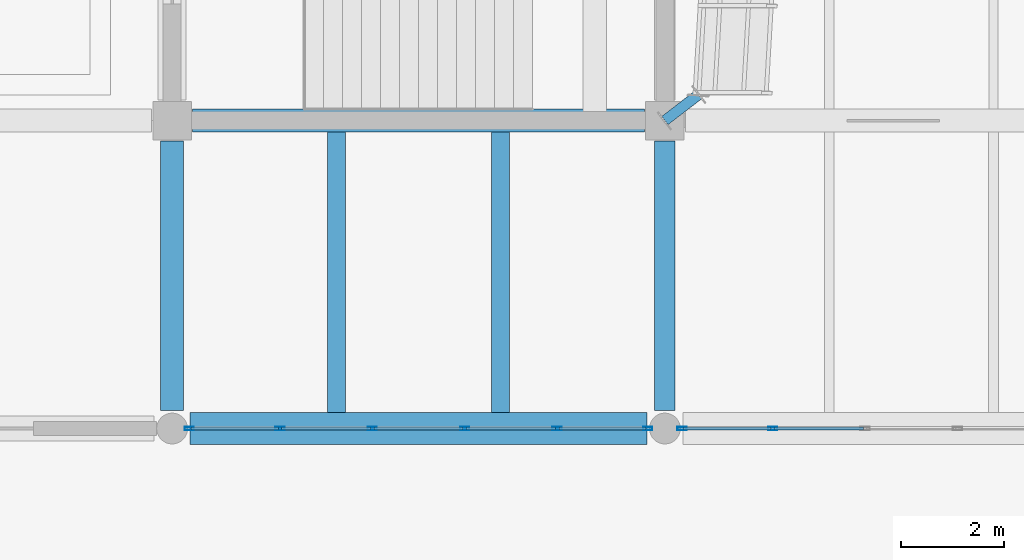
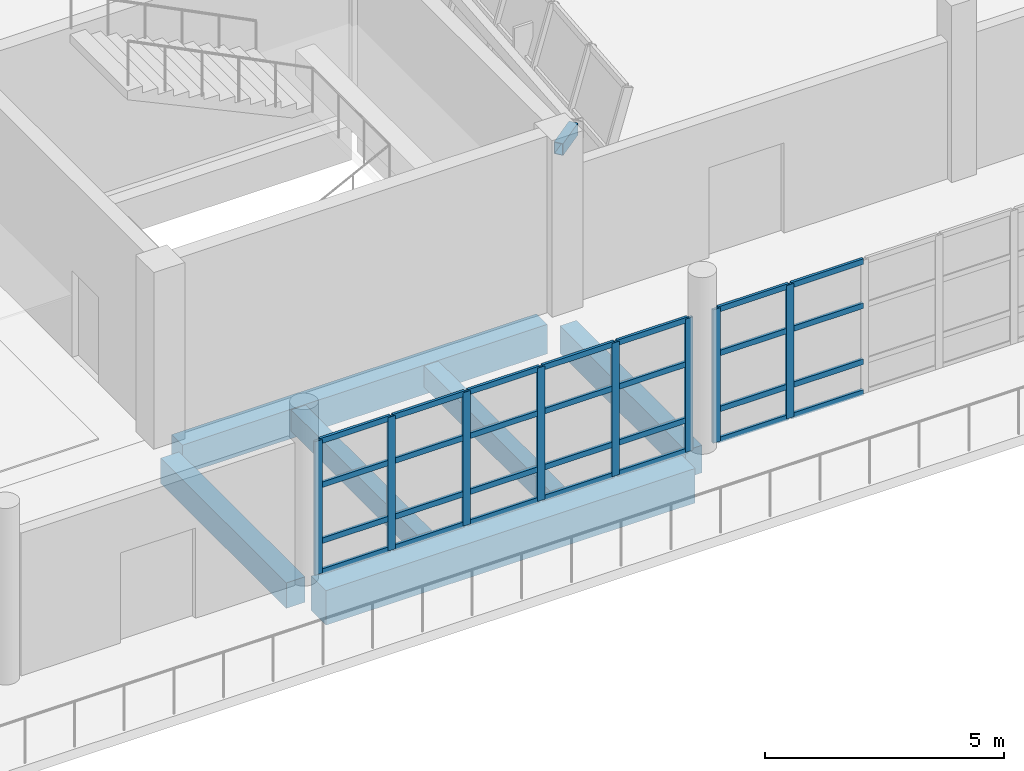
# One storey, part 15 of 71: 36 members, 7 beams, 2 elements without a shape of their own.
"""IFC4 building model written with IfcOpenShell, lengths in metres."""

from ifc_helpers import new_model, si_unit, direction, frame, origin, origin_2d, place, context, subcontext, project, spatial, rectangle, hollow_rectangle, extrude, material, material_profile, profile_set, type_object, element, aggregate, save


model = new_model("IFC4")

# Units and contexts
model_context = context("Model", 3, precision=1e-05, world=origin(), true_north=direction((0.0, 1.0)))
body_context = subcontext(model_context, "Body", "Model", "MODEL_VIEW")
ifc_project = project(units=[si_unit("LENGTHUNIT", "METRE"), si_unit("AREAUNIT", "SQUARE_METRE"), si_unit("VOLUMEUNIT", "CUBIC_METRE"), si_unit("PLANEANGLEUNIT", "RADIAN"), si_unit("MASSUNIT", "GRAM", prefix="KILO")], contexts=[model_context])

# Site, building, storey
site_placement = place(None, origin())
site = spatial("IfcSite", under=ifc_project, at=site_placement, CompositionType="ELEMENT")
building_placement = place(site_placement, origin())
building = spatial("IfcBuilding", under=site, at=building_placement, Name="Pellamere Symphony Hall", CompositionType="ELEMENT")
storey_placement = place(building_placement, frame((0.0, 0.0, 15.0)))
storey = spatial("IfcBuildingStorey", under=building, at=storey_placement, Name="L03", CompositionType="ELEMENT", Elevation=15.0)

# Curtain wall, members
ifc_material_1 = material(Name="Thermally Broken Anodised Aluminium 6063-T6 Curtain Wall", Category="aluminium")
curtain_wall_type = type_object("IfcCurtainWallType", Name="Curtain Wall CW-02 (Winter-Garden South Concourse Curtain Wall)", PredefinedType="NOTDEFINED", material=ifc_material_1)
curtain_wall_1_placement = place(storey_placement, origin())
curtain_wall_1 = element("IfcCurtainWall", 1, at=curtain_wall_1_placement, inside=storey, type_object=curtain_wall_type, Name="Winter-Garden South Curtain Wall (L03 Bay 10)", PredefinedType="NOTDEFINED")
ifc_material_2 = material(Name="Anodised Architectural Aluminium 6063-T6", Category="aluminium")
ifc_material_profile_1 = material_profile(ifc_material_2, hollow_rectangle(XDim=0.06494140625, YDim=0.179931640625, WallThickness=0.00390625, at=origin_2d()), Name="ALU-M65X180X4")
ifc_profile_set_1 = profile_set([ifc_material_profile_1], Name="Anodised Architectural Aluminium 6063-T6")
member_type_1 = type_object("IfcMemberType", Name="Curtain Wall Mullion ML-02 ALU-M65X180X4", PredefinedType="MULLION", material=ifc_profile_set_1)
member_1_placement = place(storey_placement, frame((109.532470703125, 24.0, 0.0), z_axis=(0.0, 0.0, 1.0), x_axis=(0.0, 1.0, 0.0)))
member_1 = element("IfcMember", 2, at=member_1_placement, type_object=member_type_1, Name="CW2-093 crystal mullion 1", PredefinedType="MULLION", context=body_context, shape_type="SweptSolid", body=[
    extrude(hollow_rectangle(XDim=0.06494140625, YDim=0.179931640625, WallThickness=0.00390625, at=origin_2d()), origin(), (0.0, 0.0, 1.0), 3.39990234375),
])
member_2_placement = place(storey_placement, frame((111.300048828125, 24.0, 0.0), z_axis=(0.0, 0.0, 1.0), x_axis=(0.0, 1.0, 0.0)))
member_2 = element("IfcMember", 3, at=member_2_placement, type_object=member_type_1, Name="CW2-093 crystal mullion 2", PredefinedType="MULLION", context=body_context, shape_type="SweptSolid", body=[
    extrude(hollow_rectangle(XDim=0.06494140625, YDim=0.179931640625, WallThickness=0.00390625, at=origin_2d()), origin(), (0.0, 0.0, 1.0), 3.39990234375),
])
member_3_placement = place(storey_placement, frame((113.10009765625, 24.0, 0.0), z_axis=(0.0, 0.0, 1.0), x_axis=(0.0, 1.0, 0.0)))
member_3 = element("IfcMember", 4, at=member_3_placement, type_object=member_type_1, Name="CW2-093 crystal mullion 3", PredefinedType="MULLION", context=body_context, shape_type="SweptSolid", body=[
    extrude(hollow_rectangle(XDim=0.06494140625, YDim=0.179931640625, WallThickness=0.00390625, at=origin_2d()), origin(), (0.0, 0.0, 1.0), 3.39990234375),
])
member_4_placement = place(storey_placement, frame((114.89990234375, 24.0, 0.0), z_axis=(0.0, 0.0, 1.0), x_axis=(0.0, 1.0, 0.0)))
member_4 = element("IfcMember", 5, at=member_4_placement, type_object=member_type_1, Name="CW2-093 crystal mullion 4", PredefinedType="MULLION", context=body_context, shape_type="SweptSolid", body=[
    extrude(hollow_rectangle(XDim=0.06494140625, YDim=0.179931640625, WallThickness=0.00390625, at=origin_2d()), origin(), (0.0, 0.0, 1.0), 3.39990234375),
])
member_5_placement = place(storey_placement, frame((116.699951171875, 24.0, 0.0), z_axis=(0.0, 0.0, 1.0), x_axis=(0.0, 1.0, 0.0)))
member_5 = element("IfcMember", 6, at=member_5_placement, type_object=member_type_1, Name="CW2-093 crystal mullion 5", PredefinedType="MULLION", context=body_context, shape_type="SweptSolid", body=[
    extrude(hollow_rectangle(XDim=0.06494140625, YDim=0.179931640625, WallThickness=0.00390625, at=origin_2d()), origin(), (0.0, 0.0, 1.0), 3.39990234375),
])
member_6_placement = place(storey_placement, frame((118.467529296875, 24.0, 0.0), z_axis=(0.0, 0.0, 1.0), x_axis=(0.0, 1.0, 0.0)))
member_6 = element("IfcMember", 7, at=member_6_placement, type_object=member_type_1, Name="CW2-093 crystal mullion 6", PredefinedType="MULLION", context=body_context, shape_type="SweptSolid", body=[
    extrude(hollow_rectangle(XDim=0.06494140625, YDim=0.179931640625, WallThickness=0.00390625, at=origin_2d()), origin(), (0.0, 0.0, 1.0), 3.39990234375),
])

curtain_wall_2_placement = place(storey_placement, origin())
curtain_wall_2 = element("IfcCurtainWall", 8, at=curtain_wall_2_placement, inside=storey, type_object=curtain_wall_type, Name="Winter-Garden South Curtain Wall (L03 Bay 11)", PredefinedType="NOTDEFINED")
member_7_placement = place(storey_placement, frame((119.132568359375, 24.0, 0.0), z_axis=(0.0, 0.0, 1.0), x_axis=(0.0, 1.0, 0.0)))
member_7 = element("IfcMember", 9, at=member_7_placement, type_object=member_type_1, Name="CW2-094 crystal mullion 1", PredefinedType="MULLION", context=body_context, shape_type="SweptSolid", body=[
    extrude(hollow_rectangle(XDim=0.06494140625, YDim=0.179931640625, WallThickness=0.00390625, at=origin_2d()), origin(), (0.0, 0.0, 1.0), 3.39990234375),
])
member_8_placement = place(storey_placement, frame((120.89990234375, 24.0, 0.0), z_axis=(0.0, 0.0, 1.0), x_axis=(0.0, 1.0, 0.0)))
member_8 = element("IfcMember", 10, at=member_8_placement, type_object=member_type_1, Name="CW2-094 crystal mullion 2", PredefinedType="MULLION", context=body_context, shape_type="SweptSolid", body=[
    extrude(hollow_rectangle(XDim=0.06494140625, YDim=0.179931640625, WallThickness=0.00390625, at=origin_2d()), origin(), (0.0, 0.0, 1.0), 3.39990234375),
])

# Member
ifc_material_profile_2 = material_profile(ifc_material_2, hollow_rectangle(XDim=0.06494140625, YDim=0.139892578125, WallThickness=0.00390625, at=origin_2d()), Name="ALU-T65X140X4")
ifc_profile_set_2 = profile_set([ifc_material_profile_2], Name="Anodised Architectural Aluminium 6063-T6")
member_type_2 = type_object("IfcMemberType", Name="Curtain Wall Transom TR-02 ALU-T65X140X4", PredefinedType="USERDEFINED", material=ifc_profile_set_2)
member_9_placement = place(storey_placement, frame((109.56494140625, 24.0, 0.032470703125), z_axis=(1.0, 0.0, 0.0), x_axis=(0.0, 1.0, 0.0)))
member_9 = element("IfcMember", 11, at=member_9_placement, type_object=member_type_2, Name="CW2-093 crystal transom 1.1", ObjectType="TRANSOM", PredefinedType="USERDEFINED", context=body_context, shape_type="SweptSolid", body=[
    extrude(hollow_rectangle(XDim=0.06494140625, YDim=0.139892578125, WallThickness=0.00390625, at=origin_2d()), origin(), (0.0, 0.0, 1.0), 1.70263671875),
])

member_10_placement = place(storey_placement, frame((109.56494140625, 24.0, 0.81591796875), z_axis=(1.0, 0.0, 0.0), x_axis=(0.0, 1.0, 0.0)))
member_10 = element("IfcMember", 12, at=member_10_placement, type_object=member_type_2, Name="CW2-093 crystal transom 1.2", ObjectType="TRANSOM", PredefinedType="USERDEFINED", context=body_context, shape_type="SweptSolid", body=[
    extrude(hollow_rectangle(XDim=0.06494140625, YDim=0.139892578125, WallThickness=0.00390625, at=origin_2d()), origin(), (0.0, 0.0, 1.0), 1.70263671875),
])

member_11_placement = place(storey_placement, frame((109.56494140625, 24.0, 2.243896484375), z_axis=(1.0, 0.0, 0.0), x_axis=(0.0, 1.0, 0.0)))
member_11 = element("IfcMember", 13, at=member_11_placement, type_object=member_type_2, Name="CW2-093 crystal transom 1.3", ObjectType="TRANSOM", PredefinedType="USERDEFINED", context=body_context, shape_type="SweptSolid", body=[
    extrude(hollow_rectangle(XDim=0.06494140625, YDim=0.139892578125, WallThickness=0.00390625, at=origin_2d()), origin(), (0.0, 0.0, 1.0), 1.70263671875),
])

member_12_placement = place(storey_placement, frame((109.56494140625, 24.0, 3.367431640625), z_axis=(1.0, 0.0, 0.0), x_axis=(0.0, 1.0, 0.0)))
member_12 = element("IfcMember", 14, at=member_12_placement, type_object=member_type_2, Name="CW2-093 crystal transom 1.4", ObjectType="TRANSOM", PredefinedType="USERDEFINED", context=body_context, shape_type="SweptSolid", body=[
    extrude(hollow_rectangle(XDim=0.06494140625, YDim=0.139892578125, WallThickness=0.00390625, at=origin_2d()), origin(), (0.0, 0.0, 1.0), 1.70263671875),
])

member_13_placement = place(storey_placement, frame((111.33251953125, 24.0, 0.032470703125), z_axis=(1.0, 0.0, 0.0), x_axis=(0.0, 1.0, 0.0)))
member_13 = element("IfcMember", 15, at=member_13_placement, type_object=member_type_2, Name="CW2-093 crystal transom 2.1", ObjectType="TRANSOM", PredefinedType="USERDEFINED", context=body_context, shape_type="SweptSolid", body=[
    extrude(hollow_rectangle(XDim=0.06494140625, YDim=0.139892578125, WallThickness=0.00390625, at=origin_2d()), origin(), (0.0, 0.0, 1.0), 1.73486328125),
])

member_14_placement = place(storey_placement, frame((111.33251953125, 24.0, 0.81591796875), z_axis=(1.0, 0.0, 0.0), x_axis=(0.0, 1.0, 0.0)))
member_14 = element("IfcMember", 16, at=member_14_placement, type_object=member_type_2, Name="CW2-093 crystal transom 2.2", ObjectType="TRANSOM", PredefinedType="USERDEFINED", context=body_context, shape_type="SweptSolid", body=[
    extrude(hollow_rectangle(XDim=0.06494140625, YDim=0.139892578125, WallThickness=0.00390625, at=origin_2d()), origin(), (0.0, 0.0, 1.0), 1.73486328125),
])

member_15_placement = place(storey_placement, frame((111.33251953125, 24.0, 2.243896484375), z_axis=(1.0, 0.0, 0.0), x_axis=(0.0, 1.0, 0.0)))
member_15 = element("IfcMember", 17, at=member_15_placement, type_object=member_type_2, Name="CW2-093 crystal transom 2.3", ObjectType="TRANSOM", PredefinedType="USERDEFINED", context=body_context, shape_type="SweptSolid", body=[
    extrude(hollow_rectangle(XDim=0.06494140625, YDim=0.139892578125, WallThickness=0.00390625, at=origin_2d()), origin(), (0.0, 0.0, 1.0), 1.73486328125),
])

member_16_placement = place(storey_placement, frame((111.33251953125, 24.0, 3.367431640625), z_axis=(1.0, 0.0, 0.0), x_axis=(0.0, 1.0, 0.0)))
member_16 = element("IfcMember", 18, at=member_16_placement, type_object=member_type_2, Name="CW2-093 crystal transom 2.4", ObjectType="TRANSOM", PredefinedType="USERDEFINED", context=body_context, shape_type="SweptSolid", body=[
    extrude(hollow_rectangle(XDim=0.06494140625, YDim=0.139892578125, WallThickness=0.00390625, at=origin_2d()), origin(), (0.0, 0.0, 1.0), 1.73486328125),
])

member_17_placement = place(storey_placement, frame((113.132568359375, 24.0, 0.032470703125), z_axis=(1.0, 0.0, 0.0), x_axis=(0.0, 1.0, 0.0)))
member_17 = element("IfcMember", 19, at=member_17_placement, type_object=member_type_2, Name="CW2-093 crystal transom 3.1", ObjectType="TRANSOM", PredefinedType="USERDEFINED", context=body_context, shape_type="SweptSolid", body=[
    extrude(hollow_rectangle(XDim=0.06494140625, YDim=0.139892578125, WallThickness=0.00390625, at=origin_2d()), origin(), (0.0, 0.0, 1.0), 1.73486328125),
])

member_18_placement = place(storey_placement, frame((113.132568359375, 24.0, 0.81591796875), z_axis=(1.0, 0.0, 0.0), x_axis=(0.0, 1.0, 0.0)))
member_18 = element("IfcMember", 20, at=member_18_placement, type_object=member_type_2, Name="CW2-093 crystal transom 3.2", ObjectType="TRANSOM", PredefinedType="USERDEFINED", context=body_context, shape_type="SweptSolid", body=[
    extrude(hollow_rectangle(XDim=0.06494140625, YDim=0.139892578125, WallThickness=0.00390625, at=origin_2d()), origin(), (0.0, 0.0, 1.0), 1.73486328125),
])

member_19_placement = place(storey_placement, frame((113.132568359375, 24.0, 2.243896484375), z_axis=(1.0, 0.0, 0.0), x_axis=(0.0, 1.0, 0.0)))
member_19 = element("IfcMember", 21, at=member_19_placement, type_object=member_type_2, Name="CW2-093 crystal transom 3.3", ObjectType="TRANSOM", PredefinedType="USERDEFINED", context=body_context, shape_type="SweptSolid", body=[
    extrude(hollow_rectangle(XDim=0.06494140625, YDim=0.139892578125, WallThickness=0.00390625, at=origin_2d()), origin(), (0.0, 0.0, 1.0), 1.73486328125),
])

member_20_placement = place(storey_placement, frame((113.132568359375, 24.0, 3.367431640625), z_axis=(1.0, 0.0, 0.0), x_axis=(0.0, 1.0, 0.0)))
member_20 = element("IfcMember", 22, at=member_20_placement, type_object=member_type_2, Name="CW2-093 crystal transom 3.4", ObjectType="TRANSOM", PredefinedType="USERDEFINED", context=body_context, shape_type="SweptSolid", body=[
    extrude(hollow_rectangle(XDim=0.06494140625, YDim=0.139892578125, WallThickness=0.00390625, at=origin_2d()), origin(), (0.0, 0.0, 1.0), 1.73486328125),
])

member_21_placement = place(storey_placement, frame((114.9326171875, 24.0, 0.032470703125), z_axis=(1.0, 0.0, 0.0), x_axis=(0.0, 1.0, 0.0)))
member_21 = element("IfcMember", 23, at=member_21_placement, type_object=member_type_2, Name="CW2-093 crystal transom 4.1", ObjectType="TRANSOM", PredefinedType="USERDEFINED", context=body_context, shape_type="SweptSolid", body=[
    extrude(hollow_rectangle(XDim=0.06494140625, YDim=0.139892578125, WallThickness=0.00390625, at=origin_2d()), origin(), (0.0, 0.0, 1.0), 1.73486328125),
])

member_22_placement = place(storey_placement, frame((114.9326171875, 24.0, 0.81591796875), z_axis=(1.0, 0.0, 0.0), x_axis=(0.0, 1.0, 0.0)))
member_22 = element("IfcMember", 24, at=member_22_placement, type_object=member_type_2, Name="CW2-093 crystal transom 4.2", ObjectType="TRANSOM", PredefinedType="USERDEFINED", context=body_context, shape_type="SweptSolid", body=[
    extrude(hollow_rectangle(XDim=0.06494140625, YDim=0.139892578125, WallThickness=0.00390625, at=origin_2d()), origin(), (0.0, 0.0, 1.0), 1.73486328125),
])

member_23_placement = place(storey_placement, frame((114.9326171875, 24.0, 2.243896484375), z_axis=(1.0, 0.0, 0.0), x_axis=(0.0, 1.0, 0.0)))
member_23 = element("IfcMember", 25, at=member_23_placement, type_object=member_type_2, Name="CW2-093 crystal transom 4.3", ObjectType="TRANSOM", PredefinedType="USERDEFINED", context=body_context, shape_type="SweptSolid", body=[
    extrude(hollow_rectangle(XDim=0.06494140625, YDim=0.139892578125, WallThickness=0.00390625, at=origin_2d()), origin(), (0.0, 0.0, 1.0), 1.73486328125),
])

member_24_placement = place(storey_placement, frame((114.9326171875, 24.0, 3.367431640625), z_axis=(1.0, 0.0, 0.0), x_axis=(0.0, 1.0, 0.0)))
member_24 = element("IfcMember", 26, at=member_24_placement, type_object=member_type_2, Name="CW2-093 crystal transom 4.4", ObjectType="TRANSOM", PredefinedType="USERDEFINED", context=body_context, shape_type="SweptSolid", body=[
    extrude(hollow_rectangle(XDim=0.06494140625, YDim=0.139892578125, WallThickness=0.00390625, at=origin_2d()), origin(), (0.0, 0.0, 1.0), 1.73486328125),
])

member_25_placement = place(storey_placement, frame((116.732421875, 24.0, 0.032470703125), z_axis=(1.0, 0.0, 0.0), x_axis=(0.0, 1.0, 0.0)))
member_25 = element("IfcMember", 27, at=member_25_placement, type_object=member_type_2, Name="CW2-093 crystal transom 5.1", ObjectType="TRANSOM", PredefinedType="USERDEFINED", context=body_context, shape_type="SweptSolid", body=[
    extrude(hollow_rectangle(XDim=0.06494140625, YDim=0.139892578125, WallThickness=0.00390625, at=origin_2d()), origin(), (0.0, 0.0, 1.0), 1.70263671875),
])

member_26_placement = place(storey_placement, frame((116.732421875, 24.0, 0.81591796875), z_axis=(1.0, 0.0, 0.0), x_axis=(0.0, 1.0, 0.0)))
member_26 = element("IfcMember", 28, at=member_26_placement, type_object=member_type_2, Name="CW2-093 crystal transom 5.2", ObjectType="TRANSOM", PredefinedType="USERDEFINED", context=body_context, shape_type="SweptSolid", body=[
    extrude(hollow_rectangle(XDim=0.06494140625, YDim=0.139892578125, WallThickness=0.00390625, at=origin_2d()), origin(), (0.0, 0.0, 1.0), 1.70263671875),
])

member_27_placement = place(storey_placement, frame((116.732421875, 24.0, 2.243896484375), z_axis=(1.0, 0.0, 0.0), x_axis=(0.0, 1.0, 0.0)))
member_27 = element("IfcMember", 29, at=member_27_placement, type_object=member_type_2, Name="CW2-093 crystal transom 5.3", ObjectType="TRANSOM", PredefinedType="USERDEFINED", context=body_context, shape_type="SweptSolid", body=[
    extrude(hollow_rectangle(XDim=0.06494140625, YDim=0.139892578125, WallThickness=0.00390625, at=origin_2d()), origin(), (0.0, 0.0, 1.0), 1.70263671875),
])

member_28_placement = place(storey_placement, frame((116.732421875, 24.0, 3.367431640625), z_axis=(1.0, 0.0, 0.0), x_axis=(0.0, 1.0, 0.0)))
member_28 = element("IfcMember", 30, at=member_28_placement, type_object=member_type_2, Name="CW2-093 crystal transom 5.4", ObjectType="TRANSOM", PredefinedType="USERDEFINED", context=body_context, shape_type="SweptSolid", body=[
    extrude(hollow_rectangle(XDim=0.06494140625, YDim=0.139892578125, WallThickness=0.00390625, at=origin_2d()), origin(), (0.0, 0.0, 1.0), 1.70263671875),
])

aggregate(curtain_wall_1, [member_1, member_2, member_3, member_4, member_5, member_6, member_9, member_10, member_11, member_12, member_13, member_14, member_15, member_16, member_17, member_18, member_19, member_20, member_21, member_22, member_23, member_24, member_25, member_26, member_27, member_28])

member_29_placement = place(storey_placement, frame((119.1650390625, 24.0, 0.032470703125), z_axis=(1.0, 0.0, 0.0), x_axis=(0.0, 1.0, 0.0)))
member_29 = element("IfcMember", 31, at=member_29_placement, type_object=member_type_2, Name="CW2-094 crystal transom 1.1", ObjectType="TRANSOM", PredefinedType="USERDEFINED", context=body_context, shape_type="SweptSolid", body=[
    extrude(hollow_rectangle(XDim=0.06494140625, YDim=0.139892578125, WallThickness=0.00390625, at=origin_2d()), origin(), (0.0, 0.0, 1.0), 1.702392578125),
])

member_30_placement = place(storey_placement, frame((119.1650390625, 24.0, 0.81591796875), z_axis=(1.0, 0.0, 0.0), x_axis=(0.0, 1.0, 0.0)))
member_30 = element("IfcMember", 32, at=member_30_placement, type_object=member_type_2, Name="CW2-094 crystal transom 1.2", ObjectType="TRANSOM", PredefinedType="USERDEFINED", context=body_context, shape_type="SweptSolid", body=[
    extrude(hollow_rectangle(XDim=0.06494140625, YDim=0.139892578125, WallThickness=0.00390625, at=origin_2d()), origin(), (0.0, 0.0, 1.0), 1.702392578125),
])

member_31_placement = place(storey_placement, frame((119.1650390625, 24.0, 2.243896484375), z_axis=(1.0, 0.0, 0.0), x_axis=(0.0, 1.0, 0.0)))
member_31 = element("IfcMember", 33, at=member_31_placement, type_object=member_type_2, Name="CW2-094 crystal transom 1.3", ObjectType="TRANSOM", PredefinedType="USERDEFINED", context=body_context, shape_type="SweptSolid", body=[
    extrude(hollow_rectangle(XDim=0.06494140625, YDim=0.139892578125, WallThickness=0.00390625, at=origin_2d()), origin(), (0.0, 0.0, 1.0), 1.702392578125),
])

member_32_placement = place(storey_placement, frame((119.1650390625, 24.0, 3.367431640625), z_axis=(1.0, 0.0, 0.0), x_axis=(0.0, 1.0, 0.0)))
member_32 = element("IfcMember", 34, at=member_32_placement, type_object=member_type_2, Name="CW2-094 crystal transom 1.4", ObjectType="TRANSOM", PredefinedType="USERDEFINED", context=body_context, shape_type="SweptSolid", body=[
    extrude(hollow_rectangle(XDim=0.06494140625, YDim=0.139892578125, WallThickness=0.00390625, at=origin_2d()), origin(), (0.0, 0.0, 1.0), 1.702392578125),
])

member_33_placement = place(storey_placement, frame((120.9326171875, 24.0, 0.032470703125), z_axis=(1.0, 0.0, 0.0), x_axis=(0.0, 1.0, 0.0)))
member_33 = element("IfcMember", 35, at=member_33_placement, type_object=member_type_2, Name="CW2-094 crystal transom 2.1", ObjectType="TRANSOM", PredefinedType="USERDEFINED", context=body_context, shape_type="SweptSolid", body=[
    extrude(hollow_rectangle(XDim=0.06494140625, YDim=0.139892578125, WallThickness=0.00390625, at=origin_2d()), origin(), (0.0, 0.0, 1.0), 1.73486328125),
])

member_34_placement = place(storey_placement, frame((120.9326171875, 24.0, 0.81591796875), z_axis=(1.0, 0.0, 0.0), x_axis=(0.0, 1.0, 0.0)))
member_34 = element("IfcMember", 36, at=member_34_placement, type_object=member_type_2, Name="CW2-094 crystal transom 2.2", ObjectType="TRANSOM", PredefinedType="USERDEFINED", context=body_context, shape_type="SweptSolid", body=[
    extrude(hollow_rectangle(XDim=0.06494140625, YDim=0.139892578125, WallThickness=0.00390625, at=origin_2d()), origin(), (0.0, 0.0, 1.0), 1.73486328125),
])

member_35_placement = place(storey_placement, frame((120.9326171875, 24.0, 2.243896484375), z_axis=(1.0, 0.0, 0.0), x_axis=(0.0, 1.0, 0.0)))
member_35 = element("IfcMember", 37, at=member_35_placement, type_object=member_type_2, Name="CW2-094 crystal transom 2.3", ObjectType="TRANSOM", PredefinedType="USERDEFINED", context=body_context, shape_type="SweptSolid", body=[
    extrude(hollow_rectangle(XDim=0.06494140625, YDim=0.139892578125, WallThickness=0.00390625, at=origin_2d()), origin(), (0.0, 0.0, 1.0), 1.73486328125),
])

member_36_placement = place(storey_placement, frame((120.9326171875, 24.0, 3.367431640625), z_axis=(1.0, 0.0, 0.0), x_axis=(0.0, 1.0, 0.0)))
member_36 = element("IfcMember", 38, at=member_36_placement, type_object=member_type_2, Name="CW2-094 crystal transom 2.4", ObjectType="TRANSOM", PredefinedType="USERDEFINED", context=body_context, shape_type="SweptSolid", body=[
    extrude(hollow_rectangle(XDim=0.06494140625, YDim=0.139892578125, WallThickness=0.00390625, at=origin_2d()), origin(), (0.0, 0.0, 1.0), 1.73486328125),
])

aggregate(curtain_wall_2, [member_7, member_8, member_29, member_30, member_31, member_32, member_33, member_34, member_35, member_36])

# Beams
ifc_material_3 = material(Name="Concrete 40 MPa", Category="concrete")
ifc_material_profile_3 = material_profile(ifc_material_3, rectangle(XDim=0.449951171875, YDim=0.64990234375, at=origin_2d()), Name="RC 450x650")
ifc_profile_set_3 = profile_set([ifc_material_profile_3], Name="Concrete 40 MPa")
beam_type_1 = type_object("IfcBeamType", Name="RC CB-08 450x650", PredefinedType="BEAM", material=ifc_profile_set_3)
beam_1_placement = place(storey_placement, frame((109.199951171875, 24.35009765625, -0.5849609375), z_axis=(0.0, 1.0, 0.0), x_axis=(-1.0, 0.0, 0.0)))
element("IfcBeam", 39, at=beam_1_placement, inside=storey, type_object=beam_type_1, Name="Girder CB-08-Y1649 (L03)", PredefinedType="BEAM", context=body_context, shape_type="SweptSolid", body=[
    extrude(rectangle(XDim=0.449951171875, YDim=0.64990234375, at=origin_2d()), origin(), (0.0, 0.0, 1.0), 5.25),
])
ifc_material_4 = material(Name="Concrete 35 MPa", Category="concrete")
ifc_material_profile_4 = material_profile(ifc_material_4, rectangle(XDim=0.35009765625, YDim=0.550048828125, at=origin_2d()), Name="RC 350x550")
ifc_profile_set_4 = profile_set([ifc_material_profile_4], Name="Concrete 35 MPa")
beam_type_2 = type_object("IfcBeamType", Name="RC CB-10 350x550", PredefinedType="BEAM", material=ifc_profile_set_4)
for number, where, z_axis, x_axis, name in (
    (40, (112.39990234375, 24.31005859375, -0.550048828125), (0.0, 1.0, 0.0), (-1.0, 0.0, 0.0), "Secondary Floor Beam CB-10-A1403 (L03)"),
    (41, (115.60009765625, 24.31005859375, -0.550048828125), (0.0, 1.0, 0.0), (-1.0, 0.0, 0.0), "Secondary Floor Beam CB-10-B1403 (L03)"),
):
    element("IfcBeam", number, at=place(storey_placement, frame(where, z_axis=z_axis, x_axis=x_axis)), inside=storey, type_object=beam_type_2, Name=name, PredefinedType="BEAM", context=body_context, shape_type="SweptSolid", body=[
        extrude(rectangle(XDim=0.35009765625, YDim=0.550048828125, at=origin_2d()), origin(), (0.0, 0.0, 1.0), 5.46484375),
    ])
ifc_material_profile_5 = material_profile(ifc_material_3, rectangle(XDim=0.449951171875, YDim=0.75, at=origin_2d()), Name="RC 450x750")
ifc_profile_set_5 = profile_set([ifc_material_profile_5], Name="Concrete 40 MPa")
beam_type_3 = type_object("IfcBeamType", Name="RC CB-12 450x750", PredefinedType="SPANDREL", material=ifc_profile_set_5)
beam_2_placement = place(storey_placement, frame((109.60009765625, 30.0, -0.635009765625), z_axis=(1.0, 0.0, 0.0), x_axis=(0.0, 1.0, 0.0)))
element("IfcBeam", 42, at=beam_2_placement, inside=storey, type_object=beam_type_3, Name="Girder CB-12-X1514 (L03)", PredefinedType="SPANDREL", context=body_context, shape_type="SweptSolid", body=[
    extrude(rectangle(XDim=0.449951171875, YDim=0.75, at=origin_2d()), origin(), (0.0, 0.0, 1.0), 8.7998046875),
])
ifc_material_profile_6 = material_profile(ifc_material_3, rectangle(XDim=0.39990234375, YDim=0.699951171875, at=origin_2d()), Name="RC 400x700")
ifc_profile_set_6 = profile_set([ifc_material_profile_6], Name="Concrete 40 MPa")
beam_type_4 = type_object("IfcBeamType", Name="RC CB-13 400x700", PredefinedType="SPANDREL", material=ifc_profile_set_6)
beam_3_placement = place(storey_placement, frame((118.800048828125, 24.35009765625, -0.610107421875), z_axis=(0.0, 1.0, 0.0), x_axis=(-1.0, 0.0, 0.0)))
element("IfcBeam", 43, at=beam_3_placement, inside=storey, type_object=beam_type_4, Name="Girder CB-13-Y1658 (L03)", PredefinedType="SPANDREL", context=body_context, shape_type="SweptSolid", body=[
    extrude(rectangle(XDim=0.39990234375, YDim=0.699951171875, at=origin_2d()), origin(), (0.0, 0.0, 1.0), 5.25),
])
ifc_material_profile_7 = material_profile(ifc_material_3, rectangle(XDim=0.6201171875, YDim=0.8798828125, at=origin_2d()), Name="RC 620x880")
ifc_profile_set_7 = profile_set([ifc_material_profile_7], Name="Concrete 40 MPa")
beam_type_5 = type_object("IfcBeamType", Name="RC CB-17 620x880", PredefinedType="BEAM", material=ifc_profile_set_7)
beam_4_placement = place(storey_placement, frame((109.550048828125, 24.0, -0.699951171875), z_axis=(1.0, 0.0, 0.0), x_axis=(0.0, 1.0, 0.0)))
element("IfcBeam", 44, at=beam_4_placement, inside=storey, type_object=beam_type_5, Name="Girder CB-17-X1499 (L03)", PredefinedType="BEAM", context=body_context, shape_type="SweptSolid", body=[
    extrude(rectangle(XDim=0.6201171875, YDim=0.8798828125, at=origin_2d()), origin(), (0.0, 0.0, 1.0), 8.89990234375),
])
ifc_material_5 = material(Name="Steel CSA G40.21 350W", Category="steel")
ifc_material_profile_8 = material_profile(ifc_material_5, hollow_rectangle(XDim=0.203125, YDim=0.3046875, WallThickness=0.0126953125, at=origin_2d()), Name="HSS305X203X13")
ifc_profile_set_8 = profile_set([ifc_material_profile_8], Name="Steel CSA G40.21 350W")
beam_type_6 = type_object("IfcBeamType", Name="Steel Spandrel SB-26 HSS305X203X13", PredefinedType="SPANDREL", material=ifc_profile_set_8)
beam_5_placement = place(storey_placement, frame((118.800048828125, 30.0, 3.93994140625), z_axis=(0.792579713642, 0.609768314627, 0.0), x_axis=(-0.609768314627, 0.792579713642, 0.0)))
element("IfcBeam", 45, at=beam_5_placement, inside=storey, type_object=beam_type_6, Name="Crystal Ring Outrigger Bracket 015 (L03)", PredefinedType="SPANDREL", context=body_context, shape_type="SweptSolid", body=[
    extrude(hollow_rectangle(XDim=0.203125, YDim=0.3046875, WallThickness=0.0126953125, at=origin_2d()), origin(), (0.0, 0.0, 1.0), 0.820068359375),
])

save(model, "model.ifc")
